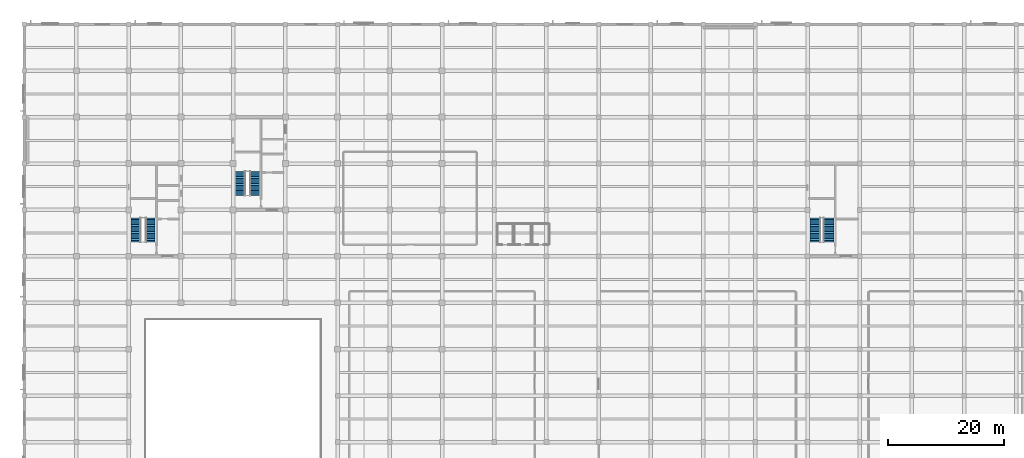
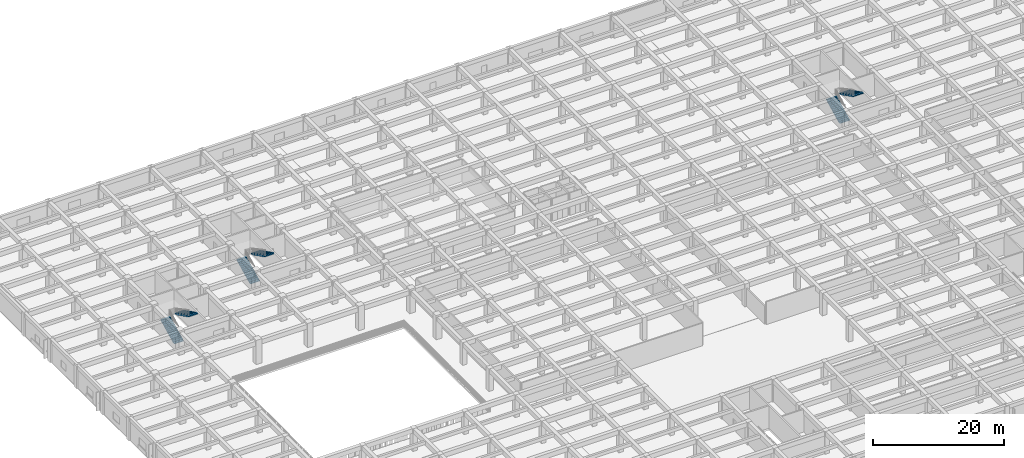
# One storey, part 20 of 32: 6 stair flights, 3 elements without a shape of their own.
"""IFC4 building model written with IfcOpenShell, lengths in metres."""

from ifc_helpers import new_model, si_unit, direction, frame, origin, place, context, subcontext, project, spatial, polyline, outline, extrude, material, type_object, element, aggregate, save


model = new_model("IFC4")

# Units and contexts
model_context = context("Model", 3, precision=1e-05, world=origin(), true_north=direction((0.0, 1.0)))
body_context = subcontext(model_context, "Body", "Model", "MODEL_VIEW")
ifc_project = project(units=[si_unit("LENGTHUNIT", "METRE"), si_unit("AREAUNIT", "SQUARE_METRE"), si_unit("VOLUMEUNIT", "CUBIC_METRE"), si_unit("PLANEANGLEUNIT", "RADIAN"), si_unit("MASSUNIT", "GRAM", prefix="KILO")], contexts=[model_context])

# Site, building, storey
site_placement = place(None, origin())
site = spatial("IfcSite", under=ifc_project, at=site_placement, CompositionType="ELEMENT")
building_placement = place(site_placement, origin())
building = spatial("IfcBuilding", under=site, at=building_placement, Name="Zaverband Oceanarium and Marine Research Institute", CompositionType="ELEMENT")
storey_placement = place(building_placement, frame((0.0, 0.0, 13.5)))
storey = spatial("IfcBuildingStorey", under=building, at=storey_placement, Name="L03", CompositionType="ELEMENT", Elevation=13.5)

# Stair, stair flights
ifc_material = material(Name="Concrete C40/50", Category="concrete")
stair_type_1 = type_object("IfcStairType", Name="STR-POD-1800-4500", PredefinedType="HALF_TURN_STAIR", material=ifc_material)
stair_1_placement = place(storey_placement, origin())
stair_1 = element("IfcStair", 1, at=stair_1_placement, inside=storey, type_object=stair_type_1, Name="Exit Stair ST-05 (L03)", PredefinedType="HALF_TURN_STAIR")
stair_flight_type_1 = type_object("IfcStairFlightType", Name="STR-POD-1800-4500-FL", PredefinedType="STRAIGHT", material=ifc_material)
stair_flight_1_placement = place(storey_placement, frame((136.330078125, 82.449951171875, 0.0), z_axis=(0.0, 0.0, 1.0), x_axis=(0.0, 1.0, 0.0)))
stair_flight_1 = element("IfcStairFlight", 2, at=stair_flight_1_placement, type_object=stair_flight_type_1, Name="Reinforced concrete stair flight ST-05-F1", NumberOfRisers=15, NumberOfTreads=14, PredefinedType="STRAIGHT", RiserHeight=0.15, TreadLength=0.3, context=body_context, shape_type="SweptSolid", body=[
    extrude(outline(polyline([(0.0, 0.0), (0.0, 0.14990234375), (0.300048828125, 0.14990234375), (0.300048828125, 0.300048828125), (0.60009765625, 0.300048828125), (0.60009765625, 0.449951171875), (0.89990234375, 0.449951171875), (0.89990234375, 0.60009765625), (1.199951171875, 0.60009765625), (1.199951171875, 0.75), (1.5, 0.75), (1.5, 0.89990234375), (1.800048828125, 0.89990234375), (1.800048828125, 1.050048828125), (2.10009765625, 1.050048828125), (2.10009765625, 1.199951171875), (2.39990234375, 1.199951171875), (2.39990234375, 1.35009765625), (2.699951171875, 1.35009765625), (2.699951171875, 1.5), (3.0, 1.5), (3.0, 1.64990234375), (3.300048828125, 1.64990234375), (3.300048828125, 1.800048828125), (3.60009765625, 1.800048828125), (3.60009765625, 1.949951171875), (3.89990234375, 1.949951171875), (3.89990234375, 2.10009765625), (4.199951171875, 2.10009765625), (4.199951171875, 2.25), (4.199951171875, 1.89892578125), (0.40234375, 0.0), (0.0, 0.0)])), frame((0.0, 0.89990234375, 0.0), z_axis=(0.0, -1.0, 0.0), x_axis=(1.0, 0.0, 0.0)), (0.0, 0.0, 1.0), 1.800048828125),
])
stair_flight_2_placement = place(storey_placement, frame((138.669921875, 86.64990234375, 2.25), z_axis=(0.0, 0.0, 1.0), x_axis=(0.0, -1.0, 0.0)))
stair_flight_2 = element("IfcStairFlight", 3, at=stair_flight_2_placement, type_object=stair_flight_type_1, Name="Reinforced concrete stair flight ST-05-F2", NumberOfRisers=15, NumberOfTreads=14, PredefinedType="STRAIGHT", RiserHeight=0.15, TreadLength=0.3, context=body_context, shape_type="SweptSolid", body=[
    extrude(outline(polyline([(0.0, 0.0), (0.0, 0.14990234375), (0.300048828125, 0.14990234375), (0.300048828125, 0.300048828125), (0.60009765625, 0.300048828125), (0.60009765625, 0.449951171875), (0.89990234375, 0.449951171875), (0.89990234375, 0.60009765625), (1.199951171875, 0.60009765625), (1.199951171875, 0.75), (1.5, 0.75), (1.5, 0.89990234375), (1.800048828125, 0.89990234375), (1.800048828125, 1.050048828125), (2.10009765625, 1.050048828125), (2.10009765625, 1.199951171875), (2.39990234375, 1.199951171875), (2.39990234375, 1.35009765625), (2.699951171875, 1.35009765625), (2.699951171875, 1.5), (3.0, 1.5), (3.0, 1.64990234375), (3.300048828125, 1.64990234375), (3.300048828125, 1.800048828125), (3.60009765625, 1.800048828125), (3.60009765625, 1.949951171875), (3.89990234375, 1.949951171875), (3.89990234375, 2.10009765625), (4.199951171875, 2.10009765625), (4.199951171875, 2.25), (4.199951171875, 1.89892578125), (0.40234375, 0.0), (0.0, 0.0)])), frame((0.0, 0.89990234375, 0.0), z_axis=(0.0, -1.0, 0.0), x_axis=(1.0, 0.0, 0.0)), (0.0, 0.0, 1.0), 1.800048828125),
])
aggregate(stair_1, [stair_flight_1, stair_flight_2])

stair_type_2 = type_object("IfcStairType", Name="STR-TWR-1650-4500", PredefinedType="HALF_TURN_STAIR", material=ifc_material)
stair_2_placement = place(storey_placement, origin())
stair_2 = element("IfcStair", 4, at=stair_2_placement, inside=storey, type_object=stair_type_2, Name="Exit Stair ST-01 (L03)", PredefinedType="HALF_TURN_STAIR")
stair_flight_type_2 = type_object("IfcStairFlightType", Name="STR-TWR-1650-4500-FL", PredefinedType="STRAIGHT", material=ifc_material)
stair_flight_3_placement = place(storey_placement, frame((19.2548828125, 82.449951171875, 0.0), z_axis=(0.0, 0.0, 1.0), x_axis=(0.0, 1.0, 0.0)))
stair_flight_3 = element("IfcStairFlight", 5, at=stair_flight_3_placement, type_object=stair_flight_type_2, Name="Reinforced concrete stair flight ST-01-F1", NumberOfRisers=15, NumberOfTreads=14, PredefinedType="STRAIGHT", RiserHeight=0.15, TreadLength=0.3, context=body_context, shape_type="SweptSolid", body=[
    extrude(outline(polyline([(0.0, 0.0), (0.0, 0.14990234375), (0.300048828125, 0.14990234375), (0.300048828125, 0.300048828125), (0.60009765625, 0.300048828125), (0.60009765625, 0.449951171875), (0.89990234375, 0.449951171875), (0.89990234375, 0.60009765625), (1.199951171875, 0.60009765625), (1.199951171875, 0.75), (1.5, 0.75), (1.5, 0.89990234375), (1.800048828125, 0.89990234375), (1.800048828125, 1.050048828125), (2.10009765625, 1.050048828125), (2.10009765625, 1.199951171875), (2.39990234375, 1.199951171875), (2.39990234375, 1.35009765625), (2.699951171875, 1.35009765625), (2.699951171875, 1.5), (3.0, 1.5), (3.0, 1.64990234375), (3.300048828125, 1.64990234375), (3.300048828125, 1.800048828125), (3.60009765625, 1.800048828125), (3.60009765625, 1.949951171875), (3.89990234375, 1.949951171875), (3.89990234375, 2.10009765625), (4.199951171875, 2.10009765625), (4.199951171875, 2.25), (4.199951171875, 1.89892578125), (0.40234375, 0.0), (0.0, 0.0)])), frame((0.0, 0.824951171875, 0.0), z_axis=(0.0, -1.0, 0.0), x_axis=(1.0, 0.0, 0.0)), (0.0, 0.0, 1.0), 1.64990234375),
])
stair_flight_4_placement = place(storey_placement, frame((21.7451171875, 86.64990234375, 2.25), z_axis=(0.0, 0.0, 1.0), x_axis=(0.0, -1.0, 0.0)))
stair_flight_4 = element("IfcStairFlight", 6, at=stair_flight_4_placement, type_object=stair_flight_type_2, Name="Reinforced concrete stair flight ST-01-F2", NumberOfRisers=15, NumberOfTreads=14, PredefinedType="STRAIGHT", RiserHeight=0.15, TreadLength=0.3, context=body_context, shape_type="SweptSolid", body=[
    extrude(outline(polyline([(0.0, 0.0), (0.0, 0.14990234375), (0.300048828125, 0.14990234375), (0.300048828125, 0.300048828125), (0.60009765625, 0.300048828125), (0.60009765625, 0.449951171875), (0.89990234375, 0.449951171875), (0.89990234375, 0.60009765625), (1.199951171875, 0.60009765625), (1.199951171875, 0.75), (1.5, 0.75), (1.5, 0.89990234375), (1.800048828125, 0.89990234375), (1.800048828125, 1.050048828125), (2.10009765625, 1.050048828125), (2.10009765625, 1.199951171875), (2.39990234375, 1.199951171875), (2.39990234375, 1.35009765625), (2.699951171875, 1.35009765625), (2.699951171875, 1.5), (3.0, 1.5), (3.0, 1.64990234375), (3.300048828125, 1.64990234375), (3.300048828125, 1.800048828125), (3.60009765625, 1.800048828125), (3.60009765625, 1.949951171875), (3.89990234375, 1.949951171875), (3.89990234375, 2.10009765625), (4.199951171875, 2.10009765625), (4.199951171875, 2.25), (4.199951171875, 1.89892578125), (0.40234375, 0.0), (0.0, 0.0)])), frame((0.0, 0.824951171875, 0.0), z_axis=(0.0, -1.0, 0.0), x_axis=(1.0, 0.0, 0.0)), (0.0, 0.0, 1.0), 1.64990234375),
])
aggregate(stair_2, [stair_flight_3, stair_flight_4])

stair_3_placement = place(storey_placement, origin())
stair_3 = element("IfcStair", 7, at=stair_3_placement, inside=storey, type_object=stair_type_2, Name="Exit Stair ST-02 (L03)", PredefinedType="HALF_TURN_STAIR")
stair_flight_5_placement = place(storey_placement, frame((37.2548828125, 90.449951171875, 0.0), z_axis=(0.0, 0.0, 1.0), x_axis=(0.0, 1.0, 0.0)))
stair_flight_5 = element("IfcStairFlight", 8, at=stair_flight_5_placement, type_object=stair_flight_type_2, Name="Reinforced concrete stair flight ST-02-F1", NumberOfRisers=15, NumberOfTreads=14, PredefinedType="STRAIGHT", RiserHeight=0.15, TreadLength=0.3, context=body_context, shape_type="SweptSolid", body=[
    extrude(outline(polyline([(0.0, 0.0), (0.0, 0.14990234375), (0.300048828125, 0.14990234375), (0.300048828125, 0.300048828125), (0.60009765625, 0.300048828125), (0.60009765625, 0.449951171875), (0.89990234375, 0.449951171875), (0.89990234375, 0.60009765625), (1.199951171875, 0.60009765625), (1.199951171875, 0.75), (1.5, 0.75), (1.5, 0.89990234375), (1.800048828125, 0.89990234375), (1.800048828125, 1.050048828125), (2.10009765625, 1.050048828125), (2.10009765625, 1.199951171875), (2.39990234375, 1.199951171875), (2.39990234375, 1.35009765625), (2.699951171875, 1.35009765625), (2.699951171875, 1.5), (3.0, 1.5), (3.0, 1.64990234375), (3.300048828125, 1.64990234375), (3.300048828125, 1.800048828125), (3.60009765625, 1.800048828125), (3.60009765625, 1.949951171875), (3.89990234375, 1.949951171875), (3.89990234375, 2.10009765625), (4.199951171875, 2.10009765625), (4.199951171875, 2.25), (4.199951171875, 1.89892578125), (0.40234375, 0.0), (0.0, 0.0)])), frame((0.0, 0.824951171875, 0.0), z_axis=(0.0, -1.0, 0.0), x_axis=(1.0, 0.0, 0.0)), (0.0, 0.0, 1.0), 1.64990234375),
])
stair_flight_6_placement = place(storey_placement, frame((39.7451171875, 94.64990234375, 2.25), z_axis=(0.0, 0.0, 1.0), x_axis=(0.0, -1.0, 0.0)))
stair_flight_6 = element("IfcStairFlight", 9, at=stair_flight_6_placement, type_object=stair_flight_type_2, Name="Reinforced concrete stair flight ST-02-F2", NumberOfRisers=15, NumberOfTreads=14, PredefinedType="STRAIGHT", RiserHeight=0.15, TreadLength=0.3, context=body_context, shape_type="SweptSolid", body=[
    extrude(outline(polyline([(0.0, 0.0), (0.0, 0.14990234375), (0.300048828125, 0.14990234375), (0.300048828125, 0.300048828125), (0.60009765625, 0.300048828125), (0.60009765625, 0.449951171875), (0.89990234375, 0.449951171875), (0.89990234375, 0.60009765625), (1.199951171875, 0.60009765625), (1.199951171875, 0.75), (1.5, 0.75), (1.5, 0.89990234375), (1.800048828125, 0.89990234375), (1.800048828125, 1.050048828125), (2.10009765625, 1.050048828125), (2.10009765625, 1.199951171875), (2.39990234375, 1.199951171875), (2.39990234375, 1.35009765625), (2.699951171875, 1.35009765625), (2.699951171875, 1.5), (3.0, 1.5), (3.0, 1.64990234375), (3.300048828125, 1.64990234375), (3.300048828125, 1.800048828125), (3.60009765625, 1.800048828125), (3.60009765625, 1.949951171875), (3.89990234375, 1.949951171875), (3.89990234375, 2.10009765625), (4.199951171875, 2.10009765625), (4.199951171875, 2.25), (4.199951171875, 1.89892578125), (0.40234375, 0.0), (0.0, 0.0)])), frame((0.0, 0.824951171875, 0.0), z_axis=(0.0, -1.0, 0.0), x_axis=(1.0, 0.0, 0.0)), (0.0, 0.0, 1.0), 1.64990234375),
])
aggregate(stair_3, [stair_flight_5, stair_flight_6])

save(model, "model.ifc")
